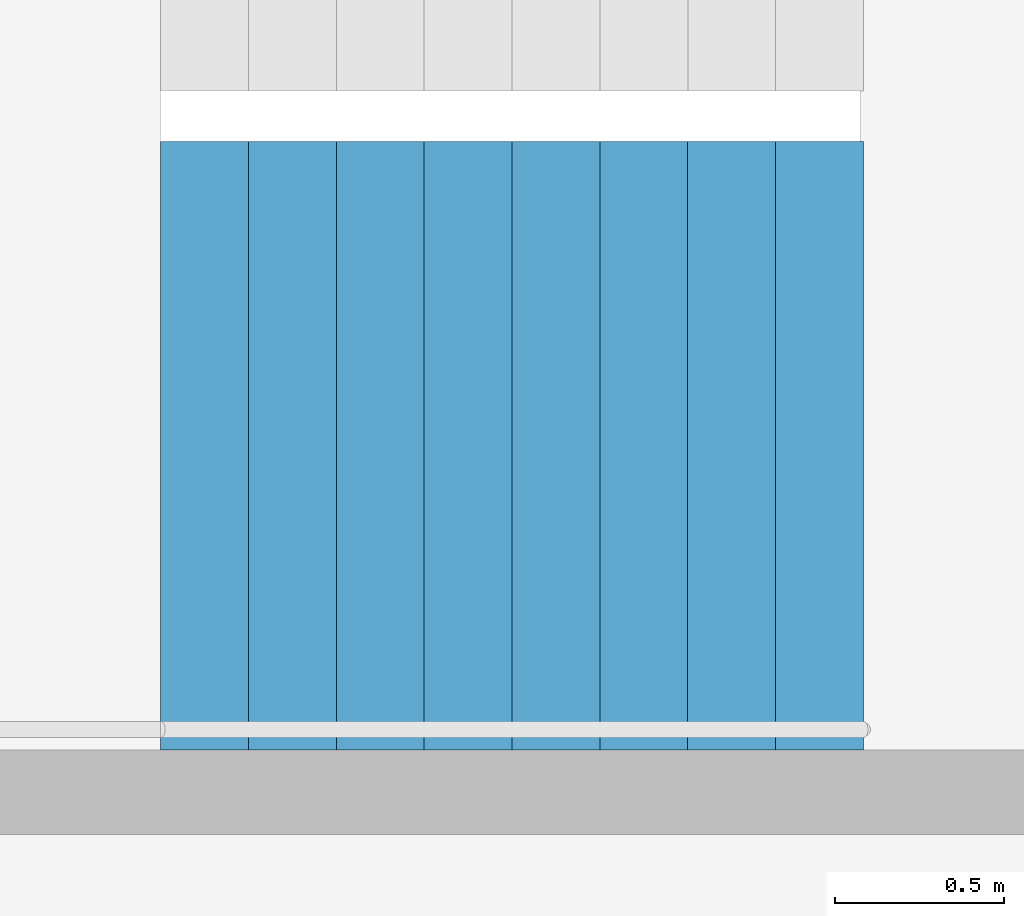
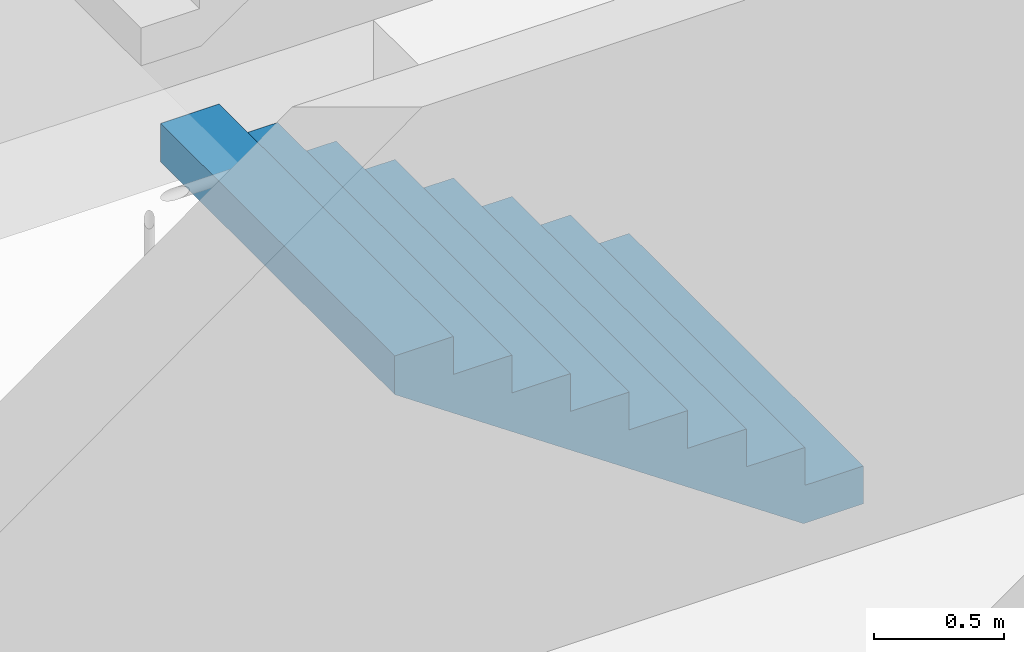
# One storey, part 25 of 27: 1 stair flight, 1 element without a shape of its own.
"""IFC4 building model written with IfcOpenShell, lengths in metres."""

from ifc_helpers import new_model, si_unit, direction, frame, origin, place, context, subcontext, project, spatial, triangles, material, type_object, element, aggregate, save


model = new_model("IFC4")

# Units and contexts
model_context = context("Model", 3, precision=1e-05, world=origin(), true_north=direction((0.0, 1.0)))
body_context = subcontext(model_context, "Body", "Model", "MODEL_VIEW")
ifc_project = project(units=[si_unit("LENGTHUNIT", "METRE"), si_unit("AREAUNIT", "SQUARE_METRE"), si_unit("VOLUMEUNIT", "CUBIC_METRE"), si_unit("PLANEANGLEUNIT", "RADIAN"), si_unit("MASSUNIT", "GRAM", prefix="KILO")], contexts=[model_context])

# Site, building, storey
site_placement = place(None, origin())
site = spatial("IfcSite", under=ifc_project, at=site_placement, CompositionType="ELEMENT")
building_placement = place(site_placement, origin())
building = spatial("IfcBuilding", under=site, at=building_placement, Name="Hakoniwa Tower and Hamabe Station Hall", CompositionType="ELEMENT")
storey_placement = place(building_placement, frame((0.0, 0.0, 239.0)))
storey = spatial("IfcBuildingStorey", under=building, at=storey_placement, Name="L67", CompositionType="ELEMENT", Elevation=239.0)

# Stair, stair flight
ifc_material_1 = material(Name="Concrete C40", Category="concrete")
stair_type = type_object("IfcStairType", Name="ESCAPE STAIR 1800", PredefinedType="HALF_TURN_STAIR", material=ifc_material_1)
stair_placement = place(storey_placement, origin())
stair = element("IfcStair", 1, at=stair_placement, inside=storey, type_object=stair_type, Name="Escape stair ST-3 L67", PredefinedType="HALF_TURN_STAIR")
ifc_material_2 = material(Name="Concrete C40", Category="concrete")
stair_flight_type = type_object("IfcStairFlightType", Name="STAIR FLIGHT 1800", PredefinedType="STRAIGHT", material=ifc_material_2)
stair_flight_placement = place(storey_placement, frame((24.39990234375, 4.64990234375, 0.0), z_axis=(0.0, 0.0, 1.0), x_axis=(-1.0, 0.0, 0.0)))
stair_flight = element("IfcStairFlight", 2, at=stair_flight_placement, type_object=stair_flight_type, Name="ST-3 flight 1", NumberOfRisers=9, NumberOfTreads=8, PredefinedType="STRAIGHT", RiserHeight=0.177777778, TreadLength=0.26, context=body_context, shape_type="Tessellation", body=[
    triangles([(0.0, 0.89990234375, 0.0), (0.260009765625, 0.89990234375, 0.0), (0.265625, 0.89990234375, 0.0), (0.52001953125, 0.89990234375, 0.174072265625), (0.780029296875, 0.89990234375, 0.351806640625), (1.0400390625, 0.89990234375, 0.529541015625), (1.300048828125, 0.89990234375, 0.707275390625), (1.56005859375, 0.89990234375, 0.885009765625), (1.820068359375, 0.89990234375, 1.062744140625), (2.080078125, 0.89990234375, 1.24072265625), (2.080078125, 0.89990234375, 1.422119140625), (1.820068359375, 0.89990234375, 1.422119140625), (1.820068359375, 0.89990234375, 1.244384765625), (1.56005859375, 0.89990234375, 1.244384765625), (1.56005859375, 0.89990234375, 1.066650390625), (1.300048828125, 0.89990234375, 1.066650390625), (1.300048828125, 0.89990234375, 0.888916015625), (1.0400390625, 0.89990234375, 0.888916015625), (1.0400390625, 0.89990234375, 0.711181640625), (0.780029296875, 0.89990234375, 0.711181640625), (0.780029296875, 0.89990234375, 0.533447265625), (0.52001953125, 0.89990234375, 0.533447265625), (0.52001953125, 0.89990234375, 0.35546875), (0.265625, 0.89990234375, 0.35546875), (0.260009765625, 0.89990234375, 0.35546875), (0.260009765625, 0.89990234375, 0.177734375), (0.0, 0.89990234375, 0.177734375), (0.0, 0.06005859375, 0.0), (0.260009765625, 0.06005859375, 0.0), (0.265625, 0.06005859375, 0.0), (0.52001953125, 0.06005859375, 0.174072265625), (0.780029296875, 0.06005859375, 0.351806640625), (1.0400390625, 0.06005859375, 0.529541015625), (1.300048828125, 0.06005859375, 0.707275390625), (1.56005859375, 0.06005859375, 0.885009765625), (1.820068359375, 0.06005859375, 1.062744140625), (2.080078125, 0.06005859375, 1.24072265625), (2.080078125, 0.06005859375, 1.422119140625), (1.820068359375, 0.06005859375, 1.422119140625), (1.820068359375, 0.06005859375, 1.244384765625), (1.56005859375, 0.06005859375, 1.244384765625), (1.56005859375, 0.06005859375, 1.066650390625), (1.300048828125, 0.06005859375, 1.066650390625), (1.300048828125, 0.06005859375, 0.888916015625), (1.0400390625, 0.06005859375, 0.888916015625), (1.0400390625, 0.06005859375, 0.711181640625), (0.780029296875, 0.06005859375, 0.711181640625), (0.780029296875, 0.06005859375, 0.533447265625), (0.52001953125, 0.06005859375, 0.533447265625), (0.52001953125, 0.06005859375, 0.35546875), (0.265625, 0.06005859375, 0.35546875), (0.260009765625, 0.06005859375, 0.35546875), (0.260009765625, 0.06005859375, 0.177734375), (0.0, 0.06005859375, 0.177734375), (0.0, 0.04296875, 0.0), (0.260009765625, 0.04296875, 0.0), (0.265625, 0.04296875, 0.0), (0.52001953125, 0.04296875, 0.174072265625), (0.780029296875, 0.04296875, 0.351806640625), (1.0400390625, 0.04296875, 0.529541015625), (1.300048828125, 0.04296875, 0.707275390625), (1.56005859375, 0.04296875, 0.885009765625), (1.820068359375, 0.04296875, 1.062744140625), (2.080078125, 0.04296875, 1.24072265625), (2.080078125, 0.04296875, 1.422119140625), (1.820068359375, 0.04296875, 1.422119140625), (1.820068359375, 0.04296875, 1.244384765625), (1.56005859375, 0.04296875, 1.244384765625), (1.56005859375, 0.04296875, 1.066650390625), (1.300048828125, 0.04296875, 1.066650390625), (1.300048828125, 0.04296875, 0.888916015625), (1.0400390625, 0.04296875, 0.888916015625), (1.0400390625, 0.04296875, 0.711181640625), (0.780029296875, 0.04296875, 0.711181640625), (0.780029296875, 0.04296875, 0.533447265625), (0.52001953125, 0.04296875, 0.533447265625), (0.52001953125, 0.04296875, 0.35546875), (0.265625, 0.04296875, 0.35546875), (0.260009765625, 0.04296875, 0.35546875), (0.260009765625, 0.04296875, 0.177734375), (0.0, 0.04296875, 0.177734375), (0.0, 0.025634765625, 0.0), (0.260009765625, 0.025634765625, 0.0), (0.265625, 0.025634765625, 0.0), (0.52001953125, 0.025634765625, 0.174072265625), (0.780029296875, 0.025634765625, 0.351806640625), (1.0400390625, 0.025634765625, 0.529541015625), (1.300048828125, 0.025634765625, 0.707275390625), (1.56005859375, 0.025634765625, 0.885009765625), (1.820068359375, 0.025634765625, 1.062744140625), (2.080078125, 0.025634765625, 1.24072265625), (2.080078125, 0.025634765625, 1.422119140625), (1.820068359375, 0.025634765625, 1.422119140625), (1.820068359375, 0.025634765625, 1.244384765625), (1.56005859375, 0.025634765625, 1.244384765625), (1.56005859375, 0.025634765625, 1.066650390625), (1.300048828125, 0.025634765625, 1.066650390625), (1.300048828125, 0.025634765625, 0.888916015625), (1.0400390625, 0.025634765625, 0.888916015625), (1.0400390625, 0.025634765625, 0.711181640625), (0.780029296875, 0.025634765625, 0.711181640625), (0.780029296875, 0.025634765625, 0.533447265625), (0.52001953125, 0.025634765625, 0.533447265625), (0.52001953125, 0.025634765625, 0.35546875), (0.265625, 0.025634765625, 0.35546875), (0.260009765625, 0.025634765625, 0.35546875), (0.260009765625, 0.025634765625, 0.177734375), (0.0, 0.025634765625, 0.177734375), (0.0, 0.008544921875, 0.0), (0.260009765625, 0.008544921875, 0.0), (0.265625, 0.008544921875, 0.0), (0.52001953125, 0.008544921875, 0.174072265625), (0.780029296875, 0.008544921875, 0.351806640625), (1.0400390625, 0.008544921875, 0.529541015625), (1.300048828125, 0.008544921875, 0.707275390625), (1.56005859375, 0.008544921875, 0.885009765625), (1.820068359375, 0.008544921875, 1.062744140625), (2.080078125, 0.008544921875, 1.24072265625), (2.080078125, 0.008544921875, 1.422119140625), (1.820068359375, 0.008544921875, 1.422119140625), (1.820068359375, 0.008544921875, 1.244384765625), (1.56005859375, 0.008544921875, 1.244384765625), (1.56005859375, 0.008544921875, 1.066650390625), (1.300048828125, 0.008544921875, 1.066650390625), (1.300048828125, 0.008544921875, 0.888916015625), (1.0400390625, 0.008544921875, 0.888916015625), (1.0400390625, 0.008544921875, 0.711181640625), (0.780029296875, 0.008544921875, 0.711181640625), (0.780029296875, 0.008544921875, 0.533447265625), (0.52001953125, 0.008544921875, 0.533447265625), (0.52001953125, 0.008544921875, 0.35546875), (0.265625, 0.008544921875, 0.35546875), (0.260009765625, 0.008544921875, 0.35546875), (0.260009765625, 0.008544921875, 0.177734375), (0.0, 0.008544921875, 0.177734375), (0.0, -0.008544921875, 0.0), (0.260009765625, -0.008544921875, 0.0), (0.265625, -0.008544921875, 0.0), (0.52001953125, -0.008544921875, 0.174072265625), (0.780029296875, -0.008544921875, 0.351806640625), (1.0400390625, -0.008544921875, 0.529541015625), (1.300048828125, -0.008544921875, 0.707275390625), (1.56005859375, -0.008544921875, 0.885009765625), (1.820068359375, -0.008544921875, 1.062744140625), (2.080078125, -0.008544921875, 1.24072265625), (2.080078125, -0.008544921875, 1.422119140625), (1.820068359375, -0.008544921875, 1.422119140625), (1.820068359375, -0.008544921875, 1.244384765625), (1.56005859375, -0.008544921875, 1.244384765625), (1.56005859375, -0.008544921875, 1.066650390625), (1.300048828125, -0.008544921875, 1.066650390625), (1.300048828125, -0.008544921875, 0.888916015625), (1.0400390625, -0.008544921875, 0.888916015625), (1.0400390625, -0.008544921875, 0.711181640625), (0.780029296875, -0.008544921875, 0.711181640625), (0.780029296875, -0.008544921875, 0.533447265625), (0.52001953125, -0.008544921875, 0.533447265625), (0.52001953125, -0.008544921875, 0.35546875), (0.265625, -0.008544921875, 0.35546875), (0.260009765625, -0.008544921875, 0.35546875), (0.260009765625, -0.008544921875, 0.177734375), (0.0, -0.008544921875, 0.177734375), (0.0, -0.025634765625, 0.0), (0.260009765625, -0.025634765625, 0.0), (0.265625, -0.025634765625, 0.0), (0.52001953125, -0.025634765625, 0.174072265625), (0.780029296875, -0.025634765625, 0.351806640625), (1.0400390625, -0.025634765625, 0.529541015625), (1.300048828125, -0.025634765625, 0.707275390625), (1.56005859375, -0.025634765625, 0.885009765625), (1.820068359375, -0.025634765625, 1.062744140625), (2.080078125, -0.025634765625, 1.24072265625), (2.080078125, -0.025634765625, 1.422119140625), (1.820068359375, -0.025634765625, 1.422119140625), (1.820068359375, -0.025634765625, 1.244384765625), (1.56005859375, -0.025634765625, 1.244384765625), (1.56005859375, -0.025634765625, 1.066650390625), (1.300048828125, -0.025634765625, 1.066650390625), (1.300048828125, -0.025634765625, 0.888916015625), (1.0400390625, -0.025634765625, 0.888916015625), (1.0400390625, -0.025634765625, 0.711181640625), (0.780029296875, -0.025634765625, 0.711181640625), (0.780029296875, -0.025634765625, 0.533447265625), (0.52001953125, -0.025634765625, 0.533447265625), (0.52001953125, -0.025634765625, 0.35546875), (0.265625, -0.025634765625, 0.35546875), (0.260009765625, -0.025634765625, 0.35546875), (0.260009765625, -0.025634765625, 0.177734375), (0.0, -0.025634765625, 0.177734375), (0.0, -0.04296875, 0.0), (0.260009765625, -0.04296875, 0.0), (0.265625, -0.04296875, 0.0), (0.52001953125, -0.04296875, 0.174072265625), (0.780029296875, -0.04296875, 0.351806640625), (1.0400390625, -0.04296875, 0.529541015625), (1.300048828125, -0.04296875, 0.707275390625), (1.56005859375, -0.04296875, 0.885009765625), (1.820068359375, -0.04296875, 1.062744140625), (2.080078125, -0.04296875, 1.24072265625), (2.080078125, -0.04296875, 1.422119140625), (1.820068359375, -0.04296875, 1.422119140625), (1.820068359375, -0.04296875, 1.244384765625), (1.56005859375, -0.04296875, 1.244384765625), (1.56005859375, -0.04296875, 1.066650390625), (1.300048828125, -0.04296875, 1.066650390625), (1.300048828125, -0.04296875, 0.888916015625), (1.0400390625, -0.04296875, 0.888916015625), (1.0400390625, -0.04296875, 0.711181640625), (0.780029296875, -0.04296875, 0.711181640625), (0.780029296875, -0.04296875, 0.533447265625), (0.52001953125, -0.04296875, 0.533447265625), (0.52001953125, -0.04296875, 0.35546875), (0.265625, -0.04296875, 0.35546875), (0.260009765625, -0.04296875, 0.35546875), (0.260009765625, -0.04296875, 0.177734375), (0.0, -0.04296875, 0.177734375), (0.0, -0.06005859375, 0.0), (0.260009765625, -0.06005859375, 0.0), (0.265625, -0.06005859375, 0.0), (0.52001953125, -0.06005859375, 0.174072265625), (0.780029296875, -0.06005859375, 0.351806640625), (1.0400390625, -0.06005859375, 0.529541015625), (1.300048828125, -0.06005859375, 0.707275390625), (1.56005859375, -0.06005859375, 0.885009765625), (1.820068359375, -0.06005859375, 1.062744140625), (2.080078125, -0.06005859375, 1.24072265625), (2.080078125, -0.06005859375, 1.422119140625), (1.820068359375, -0.06005859375, 1.422119140625), (1.820068359375, -0.06005859375, 1.244384765625), (1.56005859375, -0.06005859375, 1.244384765625), (1.56005859375, -0.06005859375, 1.066650390625), (1.300048828125, -0.06005859375, 1.066650390625), (1.300048828125, -0.06005859375, 0.888916015625), (1.0400390625, -0.06005859375, 0.888916015625), (1.0400390625, -0.06005859375, 0.711181640625), (0.780029296875, -0.06005859375, 0.711181640625), (0.780029296875, -0.06005859375, 0.533447265625), (0.52001953125, -0.06005859375, 0.533447265625), (0.52001953125, -0.06005859375, 0.35546875), (0.265625, -0.06005859375, 0.35546875), (0.260009765625, -0.06005859375, 0.35546875), (0.260009765625, -0.06005859375, 0.177734375), (0.0, -0.06005859375, 0.177734375), (0.0, -0.89990234375, 0.0), (0.260009765625, -0.89990234375, 0.0), (0.265625, -0.89990234375, 0.0), (0.52001953125, -0.89990234375, 0.174072265625), (0.780029296875, -0.89990234375, 0.351806640625), (1.0400390625, -0.89990234375, 0.529541015625), (1.300048828125, -0.89990234375, 0.707275390625), (1.56005859375, -0.89990234375, 0.885009765625), (1.820068359375, -0.89990234375, 1.062744140625), (2.080078125, -0.89990234375, 1.24072265625), (2.080078125, -0.89990234375, 1.422119140625), (1.820068359375, -0.89990234375, 1.422119140625), (1.820068359375, -0.89990234375, 1.244384765625), (1.56005859375, -0.89990234375, 1.244384765625), (1.56005859375, -0.89990234375, 1.066650390625), (1.300048828125, -0.89990234375, 1.066650390625), (1.300048828125, -0.89990234375, 0.888916015625), (1.0400390625, -0.89990234375, 0.888916015625), (1.0400390625, -0.89990234375, 0.711181640625), (0.780029296875, -0.89990234375, 0.711181640625), (0.780029296875, -0.89990234375, 0.533447265625), (0.52001953125, -0.89990234375, 0.533447265625), (0.52001953125, -0.89990234375, 0.35546875), (0.265625, -0.89990234375, 0.35546875), (0.260009765625, -0.89990234375, 0.35546875), (0.260009765625, -0.89990234375, 0.177734375), (0.0, -0.89990234375, 0.177734375)], [[2, 27, 26], [245, 269, 270], [2, 1, 27], [245, 270, 244], [3, 25, 24], [246, 267, 268], [3, 26, 25], [246, 268, 269], [3, 2, 26], [246, 269, 245], [4, 24, 23], [247, 266, 267], [4, 3, 24], [247, 267, 246], [5, 22, 21], [248, 264, 265], [5, 23, 22], [248, 265, 266], [5, 4, 23], [248, 266, 247], [6, 20, 19], [249, 262, 263], [6, 21, 20], [249, 263, 264], [6, 5, 21], [249, 264, 248], [7, 18, 17], [250, 260, 261], [7, 19, 18], [250, 261, 262], [7, 6, 19], [250, 262, 249], [8, 16, 15], [251, 258, 259], [8, 17, 16], [251, 259, 260], [8, 7, 17], [251, 260, 250], [9, 14, 13], [252, 256, 257], [9, 15, 14], [252, 257, 258], [9, 8, 15], [252, 258, 251], [10, 12, 11], [253, 254, 255], [10, 13, 12], [253, 255, 256], [10, 9, 13], [253, 256, 252], [1, 2, 29], [1, 29, 28], [28, 29, 56], [28, 56, 55], [55, 56, 83], [55, 83, 82], [82, 83, 110], [82, 110, 109], [109, 110, 137], [109, 137, 136], [136, 137, 164], [136, 164, 163], [163, 164, 191], [163, 191, 190], [190, 191, 218], [190, 218, 217], [217, 218, 245], [217, 245, 244], [2, 3, 30], [2, 30, 29], [29, 30, 57], [29, 57, 56], [56, 57, 84], [56, 84, 83], [83, 84, 111], [83, 111, 110], [110, 111, 138], [110, 138, 137], [137, 138, 165], [137, 165, 164], [164, 165, 192], [164, 192, 191], [191, 192, 219], [191, 219, 218], [218, 219, 246], [218, 246, 245], [3, 4, 31], [3, 31, 30], [30, 31, 58], [30, 58, 57], [57, 58, 85], [57, 85, 84], [84, 85, 112], [84, 112, 111], [111, 112, 139], [111, 139, 138], [138, 139, 166], [138, 166, 165], [165, 166, 193], [165, 193, 192], [192, 193, 220], [192, 220, 219], [219, 220, 247], [219, 247, 246], [4, 5, 32], [4, 32, 31], [31, 32, 59], [31, 59, 58], [58, 59, 86], [58, 86, 85], [85, 86, 113], [85, 113, 112], [112, 113, 140], [112, 140, 139], [139, 140, 167], [139, 167, 166], [166, 167, 194], [166, 194, 193], [193, 194, 221], [193, 221, 220], [220, 221, 248], [220, 248, 247], [5, 6, 33], [5, 33, 32], [32, 33, 60], [32, 60, 59], [59, 60, 87], [59, 87, 86], [86, 87, 114], [86, 114, 113], [113, 114, 141], [113, 141, 140], [140, 141, 168], [140, 168, 167], [167, 168, 195], [167, 195, 194], [194, 195, 222], [194, 222, 221], [221, 222, 249], [221, 249, 248], [6, 7, 34], [6, 34, 33], [33, 34, 61], [33, 61, 60], [60, 61, 88], [60, 88, 87], [87, 88, 115], [87, 115, 114], [114, 115, 142], [114, 142, 141], [141, 142, 169], [141, 169, 168], [168, 169, 196], [168, 196, 195], [195, 196, 223], [195, 223, 222], [222, 223, 250], [222, 250, 249], [7, 8, 35], [7, 35, 34], [34, 35, 62], [34, 62, 61], [61, 62, 89], [61, 89, 88], [88, 89, 116], [88, 116, 115], [115, 116, 143], [115, 143, 142], [142, 143, 170], [142, 170, 169], [169, 170, 197], [169, 197, 196], [196, 197, 224], [196, 224, 223], [223, 224, 251], [223, 251, 250], [8, 9, 36], [8, 36, 35], [35, 36, 63], [35, 63, 62], [62, 63, 90], [62, 90, 89], [89, 90, 117], [89, 117, 116], [116, 117, 144], [116, 144, 143], [143, 144, 171], [143, 171, 170], [170, 171, 198], [170, 198, 197], [197, 198, 225], [197, 225, 224], [224, 225, 252], [224, 252, 251], [9, 10, 37], [9, 37, 36], [36, 37, 64], [36, 64, 63], [63, 64, 91], [63, 91, 90], [90, 91, 118], [90, 118, 117], [117, 118, 145], [117, 145, 144], [144, 145, 172], [144, 172, 171], [171, 172, 199], [171, 199, 198], [198, 199, 226], [198, 226, 225], [225, 226, 253], [225, 253, 252], [10, 11, 38], [10, 38, 37], [37, 38, 65], [37, 65, 64], [64, 65, 92], [64, 92, 91], [91, 92, 119], [91, 119, 118], [118, 119, 146], [118, 146, 145], [145, 146, 173], [145, 173, 172], [172, 173, 200], [172, 200, 199], [199, 200, 227], [199, 227, 226], [226, 227, 254], [226, 254, 253], [11, 12, 39], [11, 39, 38], [38, 39, 66], [38, 66, 65], [65, 66, 93], [65, 93, 92], [92, 93, 120], [92, 120, 119], [119, 120, 147], [119, 147, 146], [146, 147, 174], [146, 174, 173], [173, 174, 201], [173, 201, 200], [200, 201, 228], [200, 228, 227], [227, 228, 255], [227, 255, 254], [12, 13, 40], [12, 40, 39], [39, 40, 67], [39, 67, 66], [66, 67, 94], [66, 94, 93], [93, 94, 121], [93, 121, 120], [120, 121, 148], [120, 148, 147], [147, 148, 175], [147, 175, 174], [174, 175, 202], [174, 202, 201], [201, 202, 229], [201, 229, 228], [228, 229, 256], [228, 256, 255], [13, 14, 41], [13, 41, 40], [40, 41, 68], [40, 68, 67], [67, 68, 95], [67, 95, 94], [94, 95, 122], [94, 122, 121], [121, 122, 149], [121, 149, 148], [148, 149, 176], [148, 176, 175], [175, 176, 203], [175, 203, 202], [202, 203, 230], [202, 230, 229], [229, 230, 257], [229, 257, 256], [14, 15, 42], [14, 42, 41], [41, 42, 69], [41, 69, 68], [68, 69, 96], [68, 96, 95], [95, 96, 123], [95, 123, 122], [122, 123, 150], [122, 150, 149], [149, 150, 177], [149, 177, 176], [176, 177, 204], [176, 204, 203], [203, 204, 231], [203, 231, 230], [230, 231, 258], [230, 258, 257], [15, 16, 43], [15, 43, 42], [42, 43, 70], [42, 70, 69], [69, 70, 97], [69, 97, 96], [96, 97, 124], [96, 124, 123], [123, 124, 151], [123, 151, 150], [150, 151, 178], [150, 178, 177], [177, 178, 205], [177, 205, 204], [204, 205, 232], [204, 232, 231], [231, 232, 259], [231, 259, 258], [16, 17, 44], [16, 44, 43], [43, 44, 71], [43, 71, 70], [70, 71, 98], [70, 98, 97], [97, 98, 125], [97, 125, 124], [124, 125, 152], [124, 152, 151], [151, 152, 179], [151, 179, 178], [178, 179, 206], [178, 206, 205], [205, 206, 233], [205, 233, 232], [232, 233, 260], [232, 260, 259], [17, 18, 45], [17, 45, 44], [44, 45, 72], [44, 72, 71], [71, 72, 99], [71, 99, 98], [98, 99, 126], [98, 126, 125], [125, 126, 153], [125, 153, 152], [152, 153, 180], [152, 180, 179], [179, 180, 207], [179, 207, 206], [206, 207, 234], [206, 234, 233], [233, 234, 261], [233, 261, 260], [18, 19, 46], [18, 46, 45], [45, 46, 73], [45, 73, 72], [72, 73, 100], [72, 100, 99], [99, 100, 127], [99, 127, 126], [126, 127, 154], [126, 154, 153], [153, 154, 181], [153, 181, 180], [180, 181, 208], [180, 208, 207], [207, 208, 235], [207, 235, 234], [234, 235, 262], [234, 262, 261], [19, 20, 47], [19, 47, 46], [46, 47, 74], [46, 74, 73], [73, 74, 101], [73, 101, 100], [100, 101, 128], [100, 128, 127], [127, 128, 155], [127, 155, 154], [154, 155, 182], [154, 182, 181], [181, 182, 209], [181, 209, 208], [208, 209, 236], [208, 236, 235], [235, 236, 263], [235, 263, 262], [20, 21, 48], [20, 48, 47], [47, 48, 75], [47, 75, 74], [74, 75, 102], [74, 102, 101], [101, 102, 129], [101, 129, 128], [128, 129, 156], [128, 156, 155], [155, 156, 183], [155, 183, 182], [182, 183, 210], [182, 210, 209], [209, 210, 237], [209, 237, 236], [236, 237, 264], [236, 264, 263], [21, 22, 49], [21, 49, 48], [48, 49, 76], [48, 76, 75], [75, 76, 103], [75, 103, 102], [102, 103, 130], [102, 130, 129], [129, 130, 157], [129, 157, 156], [156, 157, 184], [156, 184, 183], [183, 184, 211], [183, 211, 210], [210, 211, 238], [210, 238, 237], [237, 238, 265], [237, 265, 264], [22, 23, 50], [22, 50, 49], [49, 50, 77], [49, 77, 76], [76, 77, 104], [76, 104, 103], [103, 104, 131], [103, 131, 130], [130, 131, 158], [130, 158, 157], [157, 158, 185], [157, 185, 184], [184, 185, 212], [184, 212, 211], [211, 212, 239], [211, 239, 238], [238, 239, 266], [238, 266, 265], [23, 24, 51], [23, 51, 50], [50, 51, 78], [50, 78, 77], [77, 78, 105], [77, 105, 104], [104, 105, 132], [104, 132, 131], [131, 132, 159], [131, 159, 158], [158, 159, 186], [158, 186, 185], [185, 186, 213], [185, 213, 212], [212, 213, 240], [212, 240, 239], [239, 240, 267], [239, 267, 266], [24, 25, 52], [24, 52, 51], [51, 52, 79], [51, 79, 78], [78, 79, 106], [78, 106, 105], [105, 106, 133], [105, 133, 132], [132, 133, 160], [132, 160, 159], [159, 160, 187], [159, 187, 186], [186, 187, 214], [186, 214, 213], [213, 214, 241], [213, 241, 240], [240, 241, 268], [240, 268, 267], [25, 26, 53], [25, 53, 52], [52, 53, 80], [52, 80, 79], [79, 80, 107], [79, 107, 106], [106, 107, 134], [106, 134, 133], [133, 134, 161], [133, 161, 160], [160, 161, 188], [160, 188, 187], [187, 188, 215], [187, 215, 214], [214, 215, 242], [214, 242, 241], [241, 242, 269], [241, 269, 268], [26, 27, 54], [26, 54, 53], [53, 54, 81], [53, 81, 80], [80, 81, 108], [80, 108, 107], [107, 108, 135], [107, 135, 134], [134, 135, 162], [134, 162, 161], [161, 162, 189], [161, 189, 188], [188, 189, 216], [188, 216, 215], [215, 216, 243], [215, 243, 242], [242, 243, 270], [242, 270, 269], [27, 1, 28], [27, 28, 54], [54, 28, 55], [54, 55, 81], [81, 55, 82], [81, 82, 108], [108, 82, 109], [108, 109, 135], [135, 109, 136], [135, 136, 162], [162, 136, 163], [162, 163, 189], [189, 163, 190], [189, 190, 216], [216, 190, 217], [216, 217, 243], [243, 217, 244], [243, 244, 270]], closed=True),
])
aggregate(stair, [stair_flight])

save(model, "model.ifc")
